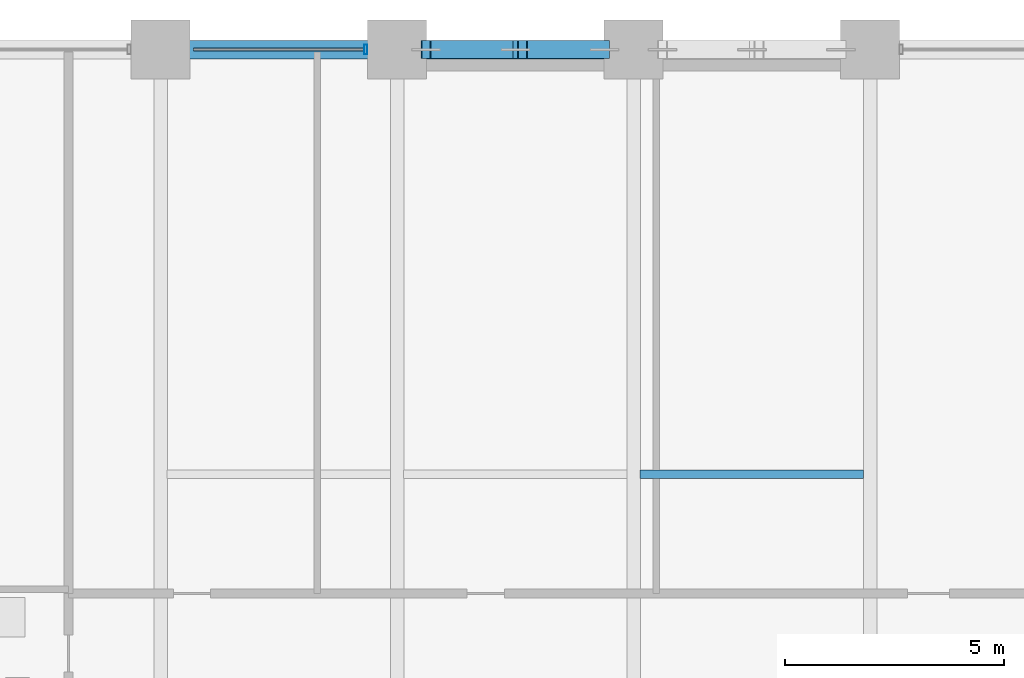
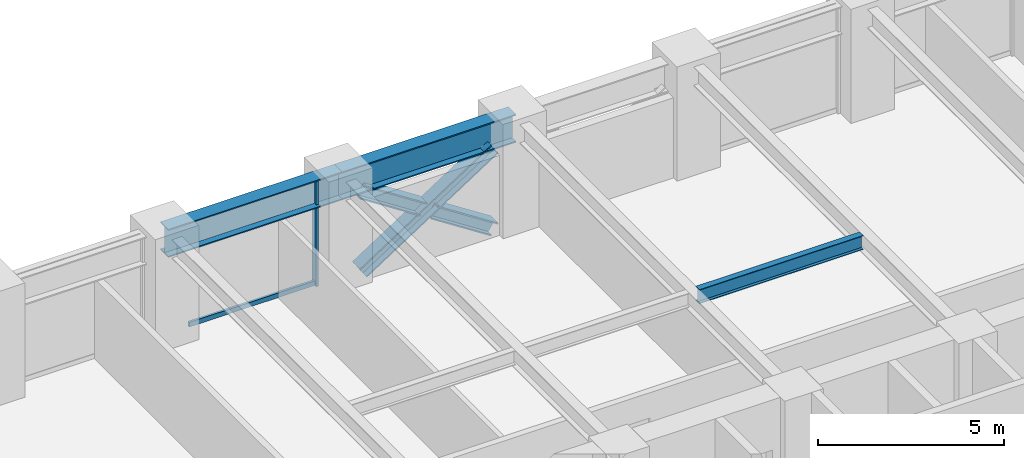
# One storey, part 13 of 25: 5 members, 3 beams, 1 element without a shape of its own.
"""IFC4 building model written with IfcOpenShell, lengths in metres."""

from ifc_helpers import new_model, si_unit, direction, frame, origin, origin_2d, place, context, subcontext, project, spatial, hollow_rectangle, i_section, extrude, material, layer, layer_set, material_profile, profile_set, type_object, element, aggregate, save


model = new_model("IFC4")

# Units and contexts
model_context = context("Model", 3, precision=1e-05, world=origin(), true_north=direction((0.0, 1.0)))
body_context = subcontext(model_context, "Body", "Model", "MODEL_VIEW")
ifc_project = project(units=[si_unit("LENGTHUNIT", "METRE"), si_unit("AREAUNIT", "SQUARE_METRE"), si_unit("VOLUMEUNIT", "CUBIC_METRE"), si_unit("PLANEANGLEUNIT", "RADIAN"), si_unit("MASSUNIT", "GRAM", prefix="KILO")], contexts=[model_context])

# Site, building, storey
site_placement = place(None, origin())
site = spatial("IfcSite", under=ifc_project, at=site_placement, CompositionType="ELEMENT")
building_placement = place(site_placement, origin())
building = spatial("IfcBuilding", under=site, at=building_placement, Name="Surkhivell Harbour Commons", CompositionType="ELEMENT")
storey_placement = place(building_placement, frame((0.0, 0.0, 48.75)))
storey = spatial("IfcBuildingStorey", under=building, at=storey_placement, Name="L12", CompositionType="ELEMENT", Elevation=48.75)

# Beams
ifc_material_1 = material(Name="Steel S355", Category="steel")
ifc_material_profile_1 = material_profile(ifc_material_1, i_section(OverallWidth=0.19189453125, OverallDepth=0.462890625, WebThickness=0.010498046875, FlangeThickness=0.017578125, at=origin_2d()), Name="UB457x191x89")
ifc_profile_set_1 = profile_set([ifc_material_profile_1], Name="Steel S355")
beam_type_1 = type_object("IfcBeamType", Name="BM-JST-457A", PredefinedType="JOIST", material=ifc_profile_set_1)
beam_1_placement = place(storey_placement, frame((0.151611328125, 16.199951171875, 3.33837890625), z_axis=(1.0, 0.0, 0.0), x_axis=(0.0, 1.0, 0.0)))
element("IfcBeam", 1, at=beam_1_placement, inside=storey, type_object=beam_type_1, Name="L12 North Composite Joist (0.0)", PredefinedType="JOIST", context=body_context, shape_type="SweptSolid", body=[
    extrude(i_section(OverallWidth=0.19189453125, OverallDepth=0.462890625, WebThickness=0.010498046875, FlangeThickness=0.017578125, at=origin_2d()), origin(), (0.0, 0.0, 1.0), 5.096923828125),
])
ifc_material_2 = material(Name="Steel S460", Category="steel")
ifc_material_profile_2 = material_profile(ifc_material_2, i_section(OverallWidth=0.419921875, OverallDepth=0.9208984375, WebThickness=0.021484375, FlangeThickness=0.03662109375, at=origin_2d()), Name="UB914x419x388")
ifc_profile_set_2 = profile_set([ifc_material_profile_2], Name="Steel S460")
beam_type_2 = type_object("IfcBeamType", Name="BM-SPN-914A", PredefinedType="SPANDREL", material=ifc_profile_set_2)
beam_2_placement = place(storey_placement, frame((-10.800048828125, 25.89990234375, 3.109619140625), z_axis=(1.0, 0.0, 0.0), x_axis=(0.0, 1.0, 0.0)))
element("IfcBeam", 2, at=beam_2_placement, inside=storey, type_object=beam_type_2, Name="L12 Tube Spandrel (-10.8,25.9)", PredefinedType="SPANDREL", context=body_context, shape_type="SweptSolid", body=[
    extrude(i_section(OverallWidth=0.419921875, OverallDepth=0.9208984375, WebThickness=0.021484375, FlangeThickness=0.03662109375, at=origin_2d()), origin(), (0.0, 0.0, 1.0), 5.400146484375),
])
beam_3_placement = place(storey_placement, frame((-5.39990234375, 25.89990234375, 3.109619140625), z_axis=(1.0, 0.0, 0.0), x_axis=(0.0, 1.0, 0.0)))
element("IfcBeam", 3, at=beam_3_placement, inside=storey, type_object=beam_type_2, Name="L12 Tube Spandrel (-5.4,25.9)", PredefinedType="SPANDREL", context=body_context, shape_type="SweptSolid", body=[
    extrude(i_section(OverallWidth=0.419921875, OverallDepth=0.9208984375, WebThickness=0.021484375, FlangeThickness=0.03662109375, at=origin_2d()), origin(), (0.0, 0.0, 1.0), 5.39990234375),
])

# Curtain wall, members
ifc_material_3 = material(Name="Anodised pale-metal aluminium and insulated glazing", Category="aluminium")
ifc_layer = layer(ifc_material_3, 0.219970703125)
ifc_layer_set = layer_set([ifc_layer], Name="Anodised pale-metal aluminium and insulated glazing")
curtain_wall_type = type_object("IfcCurtainWallType", Name="CW-SYS-Z1", PredefinedType="NOTDEFINED", material=ifc_layer_set)
curtain_wall_placement = place(storey_placement, origin())
curtain_wall = element("IfcCurtainWall", 4, at=curtain_wall_placement, inside=storey, type_object=curtain_wall_type, Name="L12 Curtain Wall CW-L12-E07S2", PredefinedType="NOTDEFINED")
ifc_material_4 = material(Name="Anodised pale-metal aluminium alloy 6063-T6", Category="aluminium")
ifc_material_profile_3 = material_profile(ifc_material_4, hollow_rectangle(XDim=0.074951171875, YDim=0.219970703125, WallThickness=0.00390625, at=origin_2d()), Name="ALU-MULL-75x220")
ifc_profile_set_3 = profile_set([ifc_material_profile_3], Name="Anodised pale-metal aluminium alloy 6063-T6")
member_type_1 = type_object("IfcMemberType", Name="CWM-220", PredefinedType="MULLION", material=ifc_profile_set_3)
member_1_placement = place(storey_placement, frame((-6.114501953125, 25.89990234375, 0.0), z_axis=(0.0, 0.0, 1.0), x_axis=(-1.0, 0.0, 0.0)))
member_1 = element("IfcMember", 5, at=member_1_placement, type_object=member_type_1, Name="CW-Z1 mullion 1", PredefinedType="MULLION", context=body_context, shape_type="SweptSolid", body=[
    extrude(hollow_rectangle(XDim=0.074951171875, YDim=0.219970703125, WallThickness=0.00390625, at=origin_2d()), origin(), (0.0, 0.0, 1.0), 3.570068359375),
])
ifc_material_profile_4 = material_profile(ifc_material_4, hollow_rectangle(XDim=0.074951171875, YDim=0.14990234375, WallThickness=0.00341796875, at=origin_2d()), Name="ALU-TRAN-75x150")
ifc_profile_set_4 = profile_set([ifc_material_profile_4], Name="Anodised pale-metal aluminium alloy 6063-T6")
member_type_2 = type_object("IfcMemberType", Name="CWT-150", PredefinedType="USERDEFINED", material=ifc_profile_set_4)
member_2_placement = place(storey_placement, frame((-6.152099609375, 25.89990234375, 0.074951171875), z_axis=(-1.0, 0.0, 0.0), x_axis=(0.0, -1.0, 0.0)))
member_2 = element("IfcMember", 6, at=member_2_placement, type_object=member_type_2, Name="CW-Z1 transom 1.1", ObjectType="TRANSOM", PredefinedType="USERDEFINED", context=body_context, shape_type="SweptSolid", body=[
    extrude(hollow_rectangle(XDim=0.074951171875, YDim=0.14990234375, WallThickness=0.00341796875, at=origin_2d()), origin(), (0.0, 0.0, 1.0), 3.89599609375),
])
aggregate(curtain_wall, [member_1, member_2])

# Members
ifc_material_profile_5 = material_profile(ifc_material_2, i_section(OverallWidth=0.406005859375, OverallDepth=0.416015625, WebThickness=0.026611328125, FlangeThickness=0.0390625, at=origin_2d()), Name="HD400x382")
ifc_profile_set_5 = profile_set([ifc_material_profile_5], Name="Steel S460")
member_type_3 = type_object("IfcMemberType", Name="MEM-BRC-HD382", PredefinedType="BRACE", material=ifc_profile_set_5)
member_3_placement = place(storey_placement, frame((-4.739990234375, 25.89990234375, 0.008056640625), z_axis=(0.83910375559, 0.0, 0.543971403067), x_axis=(0.0, 1.0, 0.0)))
element("IfcMember", 7, at=member_3_placement, inside=storey, type_object=member_type_3, Name="L12 Perimeter Mega-Brace MB- 01", PredefinedType="BRACE", context=body_context, shape_type="SweptSolid", body=[
    extrude(i_section(OverallWidth=0.406005859375, OverallDepth=0.416015625, WebThickness=0.026611328125, FlangeThickness=0.0390625, at=origin_2d()), origin(), (0.0, 0.0, 1.0), 4.8623046875),
])
member_4_placement = place(storey_placement, frame((-0.659912109375, 25.89990234375, 0.008056640625), z_axis=(-0.839117847051, 0.0, 0.54394966565), x_axis=(0.0, -1.0, 0.0)))
element("IfcMember", 8, at=member_4_placement, inside=storey, type_object=member_type_3, Name="L12 Perimeter Mega-Brace MB- 02", PredefinedType="BRACE", context=body_context, shape_type="SweptSolid", body=[
    extrude(i_section(OverallWidth=0.406005859375, OverallDepth=0.416015625, WebThickness=0.026611328125, FlangeThickness=0.0390625, at=origin_2d()), origin(), (0.0, 0.0, 1.0), 2.231689453125),
])
member_5_placement = place(storey_placement, frame((-2.86767578125, 25.89990234375, 1.439208984375), z_axis=(-0.83908547242, 0.0, 0.543999604756), x_axis=(0.0, -1.0, 0.0)))
element("IfcMember", 9, at=member_5_placement, inside=storey, type_object=member_type_3, Name="L12 Perimeter Mega-Brace MB- 03", PredefinedType="BRACE", context=body_context, shape_type="SweptSolid", body=[
    extrude(i_section(OverallWidth=0.406005859375, OverallDepth=0.416015625, WebThickness=0.026611328125, FlangeThickness=0.0390625, at=origin_2d()), origin(), (0.0, 0.0, 1.0), 2.2314453125),
])

save(model, "model.ifc")
